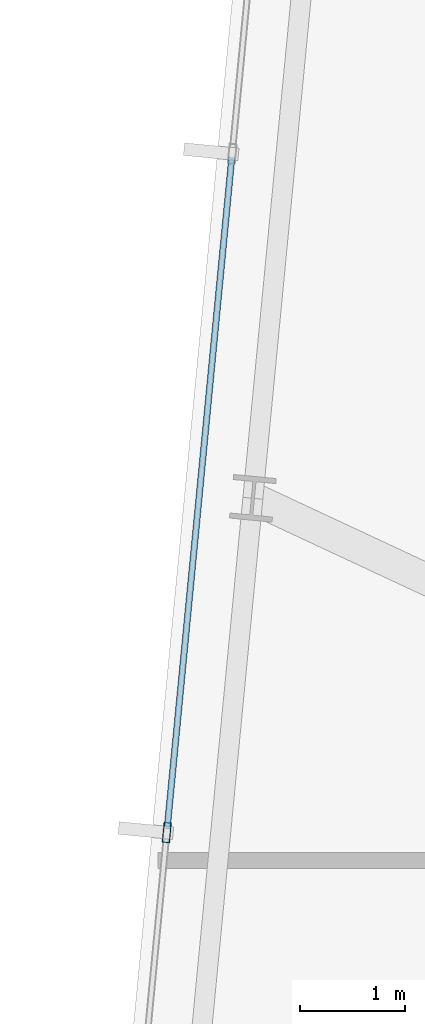
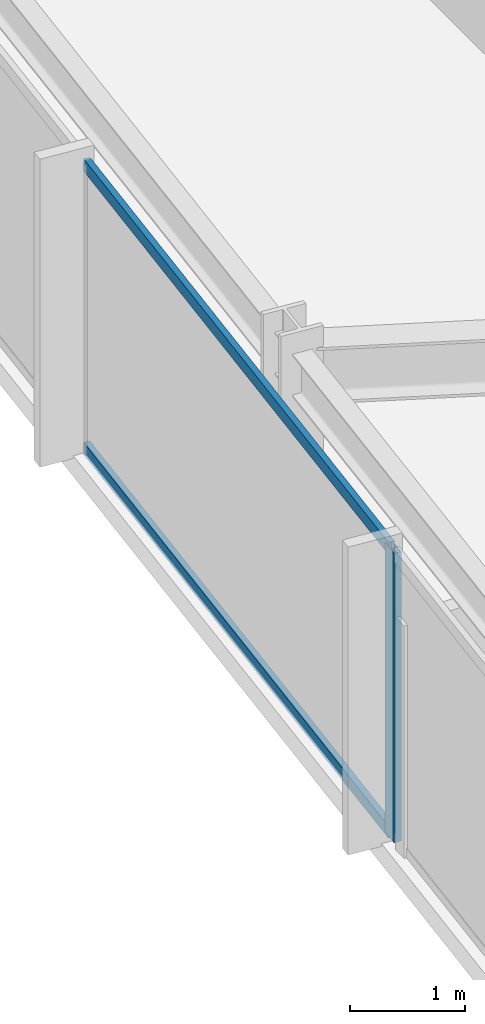
# One storey, part 8 of 38: 3 members, 1 element without a shape of its own.
"""IFC4 building model written with IfcOpenShell, lengths in metres."""

from ifc_helpers import new_model, si_unit, direction, frame, origin, origin_2d, place, context, subcontext, project, spatial, hollow_rectangle, extrude, material, material_profile, profile_set, type_object, element, aggregate, save


model = new_model("IFC4")

# Units and contexts
model_context = context("Model", 3, precision=1e-05, world=origin(), true_north=direction((0.0, 1.0)))
body_context = subcontext(model_context, "Body", "Model", "MODEL_VIEW")
ifc_project = project(units=[si_unit("LENGTHUNIT", "METRE"), si_unit("AREAUNIT", "SQUARE_METRE"), si_unit("VOLUMEUNIT", "CUBIC_METRE"), si_unit("PLANEANGLEUNIT", "RADIAN"), si_unit("MASSUNIT", "GRAM", prefix="KILO")], contexts=[model_context])

# Site, building, storey
site_placement = place(None, origin())
site = spatial("IfcSite", under=ifc_project, at=site_placement, CompositionType="ELEMENT")
building_placement = place(site_placement, origin())
building = spatial("IfcBuilding", under=site, at=building_placement, Name="Yelkora Congress Tower", CompositionType="ELEMENT")
storey_placement = place(building_placement, frame((0.0, 0.0, 178.699951171875)))
storey = spatial("IfcBuildingStorey", under=building, at=storey_placement, Name="L49", CompositionType="ELEMENT", Elevation=178.699951171875)

# Curtain wall, members
ifc_material_1 = material(Name="Anodised aluminium and insulated glass", Category="aluminium")
curtain_wall_type = type_object("IfcCurtainWallType", Name="CW-SYS-B3", PredefinedType="NOTDEFINED", material=ifc_material_1)
curtain_wall_placement = place(storey_placement, origin())
curtain_wall = element("IfcCurtainWall", 1, at=curtain_wall_placement, inside=storey, type_object=curtain_wall_type, Name="L49 Unitised Curtain Wall 5", PredefinedType="NOTDEFINED")
ifc_material_2 = material(Name="Anodised aluminium 6063-T6", Category="aluminium")
ifc_material_profile_1 = material_profile(ifc_material_2, hollow_rectangle(XDim=0.070068359375, YDim=0.18994140625, WallThickness=0.00390625, at=origin_2d()), Name="ALU 70x190x4")
ifc_profile_set_1 = profile_set([ifc_material_profile_1], Name="Anodised aluminium 6063-T6")
member_type_1 = type_object("IfcMemberType", Name="MEM-ML-B3", PredefinedType="MULLION", material=ifc_profile_set_1)
member_1_placement = place(storey_placement, frame((2.546142578125, 29.416259765625, 0.0), z_axis=(0.0, 0.0, 1.0), x_axis=(-0.995396242473, 0.095845294465, 0.0)))
member_1 = element("IfcMember", 2, at=member_1_placement, type_object=member_type_1, Name="CW-B3 mullion 3", PredefinedType="MULLION", context=body_context, shape_type="SweptSolid", body=[
    extrude(hollow_rectangle(XDim=0.070068359375, YDim=0.18994140625, WallThickness=0.00390625, at=origin_2d()), origin(), (0.0, 0.0, 1.0), 3.080078125),
])
ifc_material_profile_2 = material_profile(ifc_material_2, hollow_rectangle(XDim=0.06005859375, YDim=0.1298828125, WallThickness=0.00390625, at=origin_2d()), Name="ALU 60x130x4")
ifc_profile_set_2 = profile_set([ifc_material_profile_2], Name="Anodised aluminium 6063-T6")
member_type_2 = type_object("IfcMemberType", Name="MEM-TR-B3", PredefinedType="USERDEFINED", material=ifc_profile_set_2)
member_2_placement = place(storey_placement, frame((2.549560546875, 29.450927734375, 0.030029296875), z_axis=(0.095843682057, 0.995396397728, 0.0), x_axis=(-0.995396397728, 0.095843682057, 0.0)))
member_2 = element("IfcMember", 3, at=member_2_placement, type_object=member_type_2, Name="CW-B3 transom 3.1", ObjectType="TRANSOM", PredefinedType="USERDEFINED", context=body_context, shape_type="SweptSolid", body=[
    extrude(hollow_rectangle(XDim=0.06005859375, YDim=0.1298828125, WallThickness=0.00390625, at=origin_2d()), origin(), (0.0, 0.0, 1.0), 6.4140625),
])
member_3_placement = place(storey_placement, frame((2.549560546875, 29.450927734375, 3.050048828125), z_axis=(0.095843682057, 0.995396397728, 0.0), x_axis=(-0.995396397728, 0.095843682057, 0.0)))
member_3 = element("IfcMember", 4, at=member_3_placement, type_object=member_type_2, Name="CW-B3 transom 3.2", ObjectType="TRANSOM", PredefinedType="USERDEFINED", context=body_context, shape_type="SweptSolid", body=[
    extrude(hollow_rectangle(XDim=0.06005859375, YDim=0.1298828125, WallThickness=0.00390625, at=origin_2d()), origin(), (0.0, 0.0, 1.0), 6.4140625),
])
aggregate(curtain_wall, [member_1, member_2, member_3])

save(model, "model.ifc")
